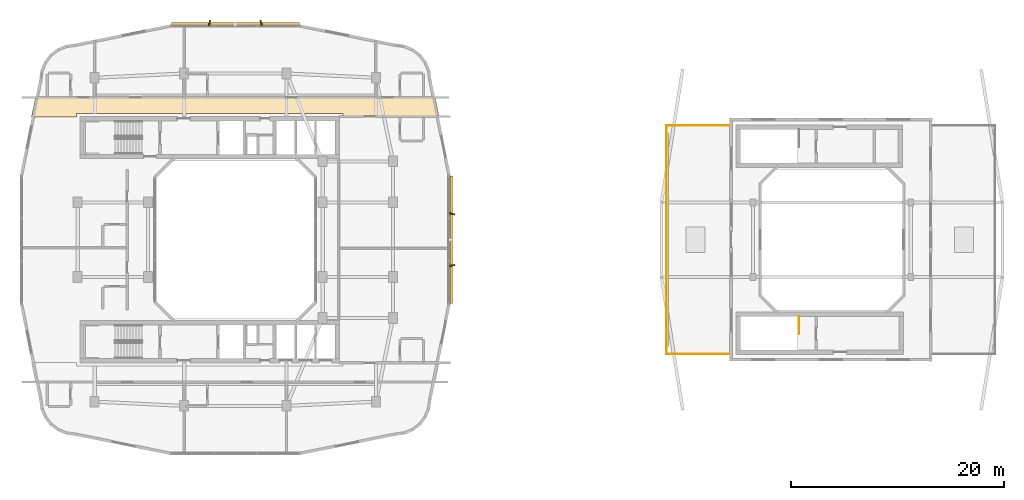
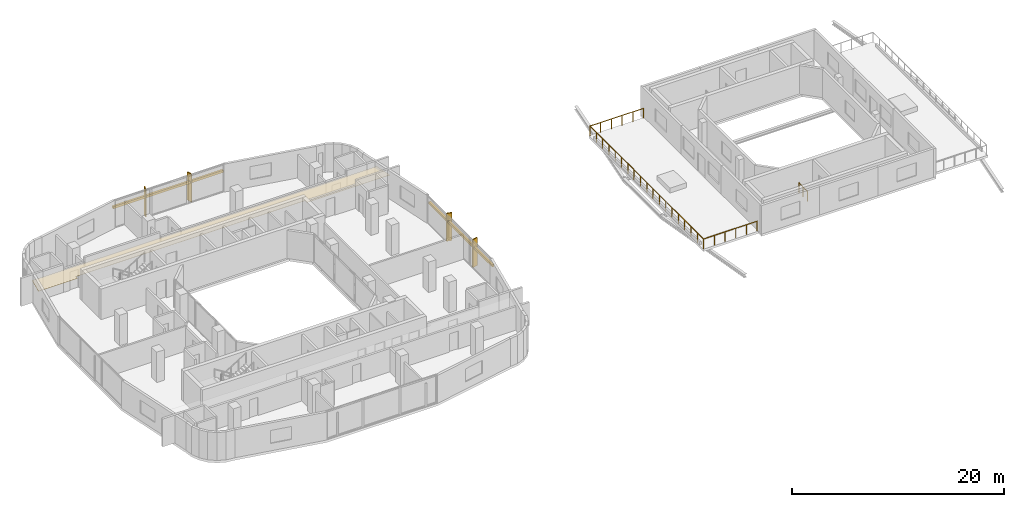
# One storey, part 17 of 18: 6 shading devices, 4 railings, 1 covering.
"""IFC4 building model written with IfcOpenShell, lengths in metres."""

from ifc_helpers import new_model, si_unit, derived_unit, direction, frame, origin, origin_2d, place, context, subcontext, project, spatial, polyline, rectangle, circle, outline, extrude, material, layer, layer_set, type_object, element, save


model = new_model("IFC4")

# Units and contexts
model_context = context("Model", 3, precision=1e-05, world=origin(), true_north=direction((0.0, 1.0)))
body_context = subcontext(model_context, "Body", "Model", "MODEL_VIEW")
ifc_project = project(units=[si_unit("LENGTHUNIT", "METRE"), si_unit("AREAUNIT", "SQUARE_METRE"), si_unit("VOLUMEUNIT", "CUBIC_METRE"), si_unit("PLANEANGLEUNIT", "RADIAN"), si_unit("MASSUNIT", "GRAM", prefix="KILO"), derived_unit("THERMALTRANSMITTANCEUNIT", [(si_unit("POWERUNIT", "WATT"), 1), (si_unit("LENGTHUNIT", "METRE"), -2), (si_unit("THERMODYNAMICTEMPERATUREUNIT", "KELVIN"), -1)])], contexts=[model_context])

# Site, building, storey
site_placement = place(None, origin())
site = spatial("IfcSite", under=ifc_project, at=site_placement, CompositionType="ELEMENT")
building_placement = place(site_placement, origin())
building = spatial("IfcBuilding", under=site, at=building_placement, Name="Kivonza Crest Hotel", CompositionType="ELEMENT")
storey_placement = place(building_placement, frame((0.0, 0.0, 131.0)))
storey = spatial("IfcBuildingStorey", under=building, at=storey_placement, Name="L35", CompositionType="ELEMENT", Elevation=131.0)

# Covering
ifc_material_1 = material(Name="Moisture-resistant gypsum plasterboard ceiling", Category="gypsum")
ifc_layer = layer(ifc_material_1, 0.030029296875)
ifc_layer_set = layer_set([ifc_layer], Name="Moisture-resistant gypsum plasterboard ceiling")
covering_type = type_object("IfcCoveringType", Name="CV-CEIL-GYP", PredefinedType="CEILING", material=ifc_layer_set)
covering_placement = place(storey_placement, frame((0.0, 0.0, 2.449951171875)))
element("IfcCovering", 1, at=covering_placement, inside=storey, type_object=covering_type, Name="L35 Hotel North Guest Corridor suspended ceiling", PredefinedType="CEILING", context=body_context, shape_type="SweptSolid", body=[
    extrude(outline(polyline([(2.235107421875, 38.389892578125), (1.85791015625, 36.52001953125), (6.10009765625, 36.52001953125), (6.10009765625, 36.860107421875), (31.10009765625, 36.860107421875), (31.10009765625, 36.52001953125), (40.14208984375, 36.52001953125), (39.764892578125, 38.389892578125), (2.235107421875, 38.389892578125)])), origin(), (0.0, 0.0, 1.0), 0.030029296875),
])

# Railings
ifc_material_2 = material(Name="Painted steel balustrade", Category="steel")
railing_type_1 = type_object("IfcRailingType", Name="RL-STAIR-1150", PredefinedType="BALUSTRADE", material=ifc_material_2)
railing_1_placement = place(storey_placement, frame((73.889892578125, 17.800048828125, 0.0)))
element("IfcRailing", 2, at=railing_1_placement, inside=storey, type_object=railing_type_1, Name="L35 ST-T2-S top well guard 1", PredefinedType="BALUSTRADE", context=body_context, shape_type="SweptSolid", body=[
    extrude(circle(Radius=0.02392578125, at=origin_2d()), frame((0.0, 0.0, 1.1259765625), z_axis=(0.0, -1.0, 0.0), x_axis=(1.0, 0.0, 0.0)), (0.0, 0.0, 1.0), 1.64013671875),
    extrude(circle(Radius=0.02099609375, at=origin_2d()), origin(), (0.0, 0.0, 1.0), 1.101806640625),
    extrude(circle(Radius=0.02099609375, at=origin_2d()), frame((0.0, -0.820068359375, 0.0)), (0.0, 0.0, 1.0), 1.101806640625),
    extrude(circle(Radius=0.02099609375, at=origin_2d()), frame((0.0, -1.64013671875, 0.0)), (0.0, 0.0, 1.0), 1.101806640625),
])
ifc_material_3 = material(Name="Laminated glass and stainless steel balustrade", Category="steel")
railing_type_2 = type_object("IfcRailingType", Name="RL-TERR-1150", PredefinedType="BALUSTRADE", material=ifc_material_3)
railing_2_placement = place(storey_placement, frame((61.47998046875, 14.280029296875, 0.0)))
element("IfcRailing", 3, at=railing_2_placement, inside=storey, type_object=railing_type_2, Name="L35 T2-L35-TW perimeter safety balustrade 1", PredefinedType="BALUSTRADE", context=body_context, shape_type="SweptSolid", body=[
    extrude(circle(Radius=0.02392578125, at=origin_2d()), frame((0.0, 0.0, 1.1259765625), z_axis=(0.0, 1.0, 0.0), x_axis=(-1.0, 0.0, 0.0)), (0.0, 0.0, 1.0), 21.43994140625),
    extrude(circle(Radius=0.02099609375, at=origin_2d()), origin(), (0.0, 0.0, 1.0), 1.101806640625),
    extrude(circle(Radius=0.02099609375, at=origin_2d()), frame((0.0, 1.191162109375, 0.0)), (0.0, 0.0, 1.0), 1.101806640625),
    extrude(circle(Radius=0.02099609375, at=origin_2d()), frame((0.0, 2.38232421875, 0.0)), (0.0, 0.0, 1.0), 1.101806640625),
    extrude(circle(Radius=0.02099609375, at=origin_2d()), frame((0.0, 3.5732421875, 0.0)), (0.0, 0.0, 1.0), 1.101806640625),
    extrude(circle(Radius=0.02099609375, at=origin_2d()), frame((0.0, 4.764404296875, 0.0)), (0.0, 0.0, 1.0), 1.101806640625),
    extrude(circle(Radius=0.02099609375, at=origin_2d()), frame((0.0, 5.95556640625, 0.0)), (0.0, 0.0, 1.0), 1.101806640625),
    extrude(circle(Radius=0.02099609375, at=origin_2d()), frame((0.0, 7.146728515625, 0.0)), (0.0, 0.0, 1.0), 1.101806640625),
    extrude(circle(Radius=0.02099609375, at=origin_2d()), frame((0.0, 8.337646484375, 0.0)), (0.0, 0.0, 1.0), 1.101806640625),
    extrude(circle(Radius=0.02099609375, at=origin_2d()), frame((0.0, 9.52880859375, 0.0)), (0.0, 0.0, 1.0), 1.101806640625),
    extrude(circle(Radius=0.02099609375, at=origin_2d()), frame((0.0, 10.719970703125, 0.0)), (0.0, 0.0, 1.0), 1.101806640625),
    extrude(circle(Radius=0.02099609375, at=origin_2d()), frame((0.0, 11.9111328125, 0.0)), (0.0, 0.0, 1.0), 1.101806640625),
    extrude(circle(Radius=0.02099609375, at=origin_2d()), frame((0.0, 13.102294921875, 0.0)), (0.0, 0.0, 1.0), 1.101806640625),
    extrude(circle(Radius=0.02099609375, at=origin_2d()), frame((0.0, 14.293212890625, 0.0)), (0.0, 0.0, 1.0), 1.101806640625),
    extrude(circle(Radius=0.02099609375, at=origin_2d()), frame((0.0, 15.484375, 0.0)), (0.0, 0.0, 1.0), 1.101806640625),
    extrude(circle(Radius=0.02099609375, at=origin_2d()), frame((0.0, 16.675537109375, 0.0)), (0.0, 0.0, 1.0), 1.101806640625),
    extrude(circle(Radius=0.02099609375, at=origin_2d()), frame((0.0, 17.86669921875, 0.0)), (0.0, 0.0, 1.0), 1.101806640625),
    extrude(circle(Radius=0.02099609375, at=origin_2d()), frame((0.0, 19.0576171875, 0.0)), (0.0, 0.0, 1.0), 1.101806640625),
    extrude(circle(Radius=0.02099609375, at=origin_2d()), frame((0.0, 20.248779296875, 0.0)), (0.0, 0.0, 1.0), 1.101806640625),
    extrude(circle(Radius=0.02099609375, at=origin_2d()), frame((0.0, 21.43994140625, 0.0)), (0.0, 0.0, 1.0), 1.101806640625),
])
railing_3_placement = place(storey_placement, frame((61.47998046875, 35.719970703125, 0.0)))
element("IfcRailing", 4, at=railing_3_placement, inside=storey, type_object=railing_type_2, Name="L35 T2-L35-TW perimeter safety balustrade 2", PredefinedType="BALUSTRADE", context=body_context, shape_type="SweptSolid", body=[
    extrude(circle(Radius=0.02392578125, at=origin_2d()), frame((0.0, 0.0, 1.1259765625), z_axis=(1.0, 0.0, 0.0), x_axis=(0.0, 1.0, 0.0)), (0.0, 0.0, 1.0), 5.840087890625),
    extrude(circle(Radius=0.02099609375, at=origin_2d()), origin(), (0.0, 0.0, 1.0), 1.101806640625),
    extrude(circle(Radius=0.02099609375, at=origin_2d()), frame((1.16796875, 0.0, 0.0)), (0.0, 0.0, 1.0), 1.101806640625),
    extrude(circle(Radius=0.02099609375, at=origin_2d()), frame((2.3359375, 0.0, 0.0)), (0.0, 0.0, 1.0), 1.101806640625),
    extrude(circle(Radius=0.02099609375, at=origin_2d()), frame((3.504150390625, 0.0, 0.0)), (0.0, 0.0, 1.0), 1.101806640625),
    extrude(circle(Radius=0.02099609375, at=origin_2d()), frame((4.672119140625, 0.0, 0.0)), (0.0, 0.0, 1.0), 1.101806640625),
    extrude(circle(Radius=0.02099609375, at=origin_2d()), frame((5.840087890625, 0.0, 0.0)), (0.0, 0.0, 1.0), 1.101806640625),
])
railing_4_placement = place(storey_placement, frame((67.320068359375, 14.280029296875, 0.0)))
element("IfcRailing", 5, at=railing_4_placement, inside=storey, type_object=railing_type_2, Name="L35 T2-L35-TW perimeter safety balustrade 3", PredefinedType="BALUSTRADE", context=body_context, shape_type="SweptSolid", body=[
    extrude(circle(Radius=0.02392578125, at=origin_2d()), frame((0.0, 0.0, 1.1259765625), z_axis=(-1.0, 0.0, 0.0), x_axis=(0.0, -1.0, 0.0)), (0.0, 0.0, 1.0), 5.840087890625),
    extrude(circle(Radius=0.02099609375, at=origin_2d()), origin(), (0.0, 0.0, 1.0), 1.101806640625),
    extrude(circle(Radius=0.02099609375, at=origin_2d()), frame((-1.16796875, 0.0, 0.0)), (0.0, 0.0, 1.0), 1.101806640625),
    extrude(circle(Radius=0.02099609375, at=origin_2d()), frame((-2.3359375, 0.0, 0.0)), (0.0, 0.0, 1.0), 1.101806640625),
    extrude(circle(Radius=0.02099609375, at=origin_2d()), frame((-3.504150390625, 0.0, 0.0)), (0.0, 0.0, 1.0), 1.101806640625),
    extrude(circle(Radius=0.02099609375, at=origin_2d()), frame((-4.672119140625, 0.0, 0.0)), (0.0, 0.0, 1.0), 1.101806640625),
    extrude(circle(Radius=0.02099609375, at=origin_2d()), frame((-5.840087890625, 0.0, 0.0)), (0.0, 0.0, 1.0), 1.101806640625),
])

# Shading devices
ifc_material_4 = material(Name="Kiln-fired Nairobi red-ochre terracotta", Category="masonry")
shading_device_type_1 = type_object("IfcShadingDeviceType", Name="SH-BAGUETTE-300", PredefinedType="USERDEFINED", material=ifc_material_4)
for number, where, z_axis, x_axis, name in (
    (6, (41.280029296875, 25.0, 2.1240234375), (0.0, 0.0, 1.0), (0.0, 1.0, 0.0), "L35 terracotta baguette screen CW-T1-L35-17"),
    (7, (21.0, 45.280029296875, 2.1240234375), (0.0, 0.0, 1.0), (-1.0, 0.0, 0.0), "L35 terracotta baguette screen CW-T1-L35-26"),
):
    element("IfcShadingDevice", number, at=place(storey_placement, frame(where, z_axis=z_axis, x_axis=x_axis)), inside=storey, type_object=shading_device_type_1, Name=name, ObjectType="BAGUETTE", PredefinedType="USERDEFINED", context=body_context, shape_type="SweptSolid", body=[
        extrude(rectangle(XDim=12.0, YDim=0.219970703125, at=origin_2d()), origin(), (0.0, 0.0, 1.0), 0.260009765625),
    ])
ifc_material_5 = material(Name="Kiln-fired terracotta over extruded aluminium spine", Category="masonry")
shading_device_type_2 = type_object("IfcShadingDeviceType", Name="SH-FIN-550", PredefinedType="USERDEFINED", material=ifc_material_5)
for number, where, z_axis, x_axis, name in (
    (8, (41.340087890625, 22.575927734375, 0.0), (0.0, 0.0, 1.0), (-0.2419218956, 0.970295726276, 0.0), "L35 vertical solar shading fin CW-T1-L35-17-1"),
    (9, (41.340087890625, 27.424072265625, 0.0), (0.0, 0.0, 1.0), (0.2419218956, 0.970295726276, 0.0), "L35 vertical solar shading fin CW-T1-L35-17-2"),
    (10, (23.424072265625, 45.340087890625, 0.0), (0.0, 0.0, 1.0), (-0.970295726276, -0.2419218956, 0.0), "L35 vertical solar shading fin CW-T1-L35-26-1"),
    (11, (18.575927734375, 45.340087890625, 0.0), (0.0, 0.0, 1.0), (-0.970295726276, 0.2419218956, 0.0), "L35 vertical solar shading fin CW-T1-L35-26-2"),
):
    element("IfcShadingDevice", number, at=place(storey_placement, frame(where, z_axis=z_axis, x_axis=x_axis)), inside=storey, type_object=shading_device_type_2, Name=name, ObjectType="FIN", PredefinedType="USERDEFINED", context=body_context, shape_type="SweptSolid", body=[
        extrude(rectangle(XDim=0.1201171875, YDim=0.550048828125, at=origin_2d()), origin(), (0.0, 0.0, 1.0), 3.219970703125),
    ])

save(model, "model.ifc")
